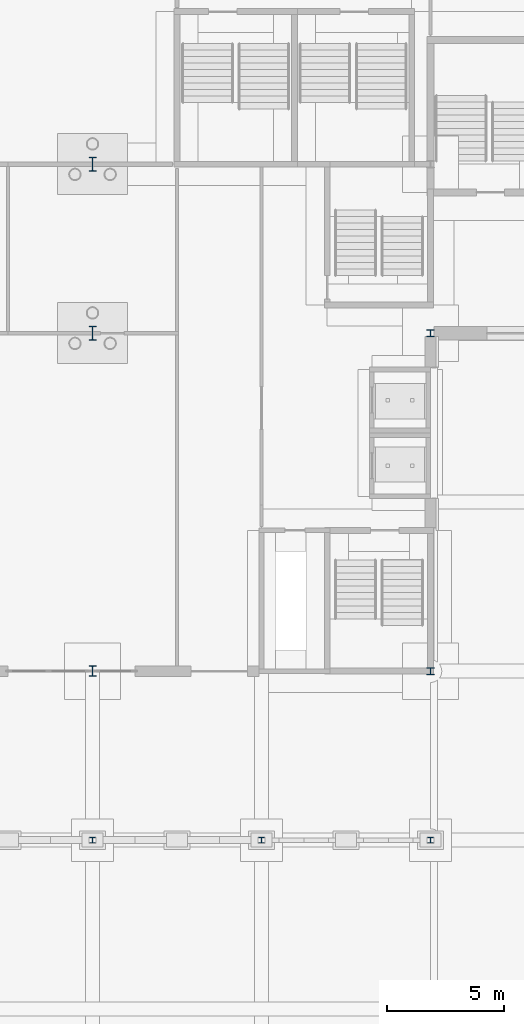
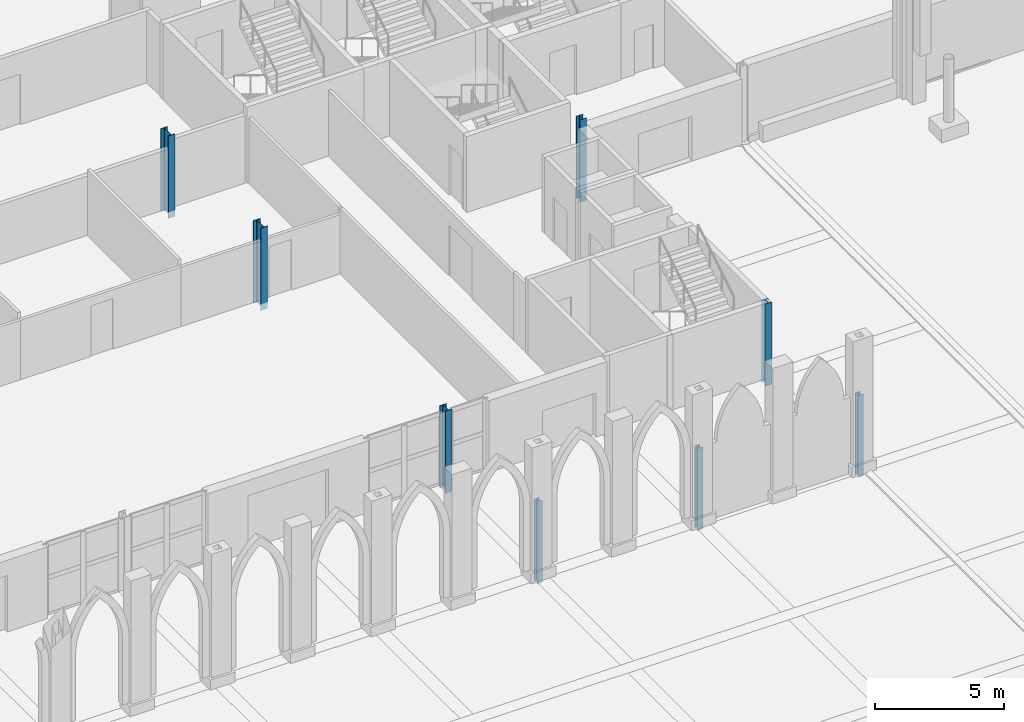
# One storey, part 41 of 148: 8 columns.
"""IFC4 building model written with IfcOpenShell, lengths in metres."""

from ifc_helpers import new_model, si_unit, direction, frame, origin, origin_2d, place, context, subcontext, project, spatial, i_section, extrude, material, material_profile, profile_set, type_object, element, save


model = new_model("IFC4")

# Units and contexts
model_context = context("Model", 3, precision=1e-05, world=origin(), true_north=direction((0.0, 1.0)))
body_context = subcontext(model_context, "Body", "Model", "MODEL_VIEW")
ifc_project = project(units=[si_unit("LENGTHUNIT", "METRE"), si_unit("AREAUNIT", "SQUARE_METRE"), si_unit("VOLUMEUNIT", "CUBIC_METRE"), si_unit("PLANEANGLEUNIT", "RADIAN"), si_unit("MASSUNIT", "GRAM", prefix="KILO")], contexts=[model_context])

# Site, building, storey
site_placement = place(None, origin())
site = spatial("IfcSite", under=ifc_project, at=site_placement, CompositionType="ELEMENT")
building_placement = place(site_placement, origin())
building = spatial("IfcBuilding", under=site, at=building_placement, Name="Kupolbacken Congress Centre", CompositionType="ELEMENT")
storey_placement = place(building_placement, origin())
storey = spatial("IfcBuildingStorey", under=building, at=storey_placement, Name="L00", CompositionType="ELEMENT", Elevation=0.0)

# Columns
ifc_material_1 = material(Name="Steel S355", Category="steel")
ifc_material_profile_1 = material_profile(ifc_material_1, i_section(OverallWidth=0.300048828125, OverallDepth=0.449951171875, WebThickness=0.013916015625, FlangeThickness=0.02587890625, FilletRadius=0.027099609375, at=origin_2d()), Name="HEB 450")
ifc_profile_set_1 = profile_set([ifc_material_profile_1], Name="Steel S355")
column_type_1 = type_object("IfcColumnType", Name="C03 column HEB 450", PredefinedType="COLUMN", material=ifc_profile_set_1)
column_placement = place(storey_placement, frame((64.800048828125, 28.800048828125, -0.300048828125), z_axis=(0.0, 0.0, 1.0), x_axis=(1.0, 0.0, 0.0)))
element("IfcColumn", 1, at=column_placement, inside=storey, type_object=column_type_1, Name="S/col/C-F-10E/L00", PredefinedType="COLUMN", context=body_context, shape_type="SweptSolid", body=[
    extrude(i_section(OverallWidth=0.300048828125, OverallDepth=0.449951171875, WebThickness=0.013916015625, FlangeThickness=0.02587890625, FilletRadius=0.027099609375, at=origin_2d()), origin(), (0.0, 0.0, 1.0), 3.900146484375),
])
ifc_material_2 = material(Name="Steel S355", Category="steel")
ifc_material_profile_2 = material_profile(ifc_material_2, i_section(OverallWidth=0.300048828125, OverallDepth=0.60009765625, WebThickness=0.015380859375, FlangeThickness=0.030029296875, FilletRadius=0.027099609375, at=origin_2d()), Name="HEB 600")
ifc_profile_set_2 = profile_set([ifc_material_profile_2], Name="Steel S355")
column_type_2 = type_object("IfcColumnType", Name="C05 column HEB 600", PredefinedType="COLUMN", material=ifc_profile_set_2)
for number, where, z_axis, x_axis, name in (
    (2, (64.800048828125, 43.199951171875, -0.300048828125), (0.0, 0.0, 1.0), (1.0, 0.0, 0.0), "S/col/C-F-10G/L00"),
    (3, (64.800048828125, 50.39990234375, -0.300048828125), (0.0, 0.0, 1.0), (1.0, 0.0, 0.0), "S/col/C-F-10H/L00"),
):
    element("IfcColumn", number, at=place(storey_placement, frame(where, z_axis=z_axis, x_axis=x_axis)), inside=storey, type_object=column_type_2, Name=name, PredefinedType="COLUMN", context=body_context, shape_type="SweptSolid", body=[
        extrude(i_section(OverallWidth=0.300048828125, OverallDepth=0.60009765625, WebThickness=0.015380859375, FlangeThickness=0.030029296875, FilletRadius=0.027099609375, at=origin_2d()), origin(), (0.0, 0.0, 1.0), 3.900146484375),
    ])
ifc_material_3 = material(Name="Steel S355", Category="steel")
ifc_material_profile_3 = material_profile(ifc_material_3, i_section(OverallWidth=0.300048828125, OverallDepth=0.300048828125, WebThickness=0.010986328125, FlangeThickness=0.01904296875, FilletRadius=0.027099609375, at=origin_2d()), Name="HEB 300")
ifc_profile_set_3 = profile_set([ifc_material_profile_3], Name="Steel S355")
column_type_3 = type_object("IfcColumnType", Name="C06 column HEB 300", PredefinedType="COLUMN", material=ifc_profile_set_3)
for number, where, z_axis, x_axis, name in (
    (4, (79.199951171875, 28.800048828125, -0.300048828125), (0.0, 0.0, 1.0), (1.0, 0.0, 0.0), "S/col/C-F-12E/L00"),
    (5, (79.199951171875, 43.199951171875, -0.300048828125), (0.0, 0.0, 1.0), (1.0, 0.0, 0.0), "S/col/C-F-12G/L00"),
):
    element("IfcColumn", number, at=place(storey_placement, frame(where, z_axis=z_axis, x_axis=x_axis)), inside=storey, type_object=column_type_3, Name=name, PredefinedType="COLUMN", context=body_context, shape_type="SweptSolid", body=[
        extrude(i_section(OverallWidth=0.300048828125, OverallDepth=0.300048828125, WebThickness=0.010986328125, FlangeThickness=0.01904296875, FilletRadius=0.027099609375, at=origin_2d()), origin(), (0.0, 0.0, 1.0), 3.900146484375),
    ])
ifc_material_4 = material(Name="Steel S355", Category="steel")
ifc_material_profile_4 = material_profile(ifc_material_4, i_section(OverallWidth=0.239990234375, OverallDepth=0.22998046875, WebThickness=0.007568359375, FlangeThickness=0.011962890625, FilletRadius=0.02099609375, at=origin_2d()), Name="HEA 240")
ifc_profile_set_4 = profile_set([ifc_material_profile_4], Name="Steel S355")
column_type_4 = type_object("IfcColumnType", Name="C10 column HEA 240", PredefinedType="COLUMN", material=ifc_profile_set_4)
for number, where, z_axis, x_axis, name in (
    (6, (64.800048828125, 21.60009765625, -0.300048828125), (0.0, 0.0, 1.0), (1.0, 0.0, 0.0), "S/col/C-AR-10/L00"),
    (7, (72.0, 21.60009765625, -0.300048828125), (0.0, 0.0, 1.0), (1.0, 0.0, 0.0), "S/col/C-AR-11/L00"),
    (8, (79.199951171875, 21.60009765625, -0.300048828125), (0.0, 0.0, 1.0), (1.0, 0.0, 0.0), "S/col/C-AR-12/L00"),
):
    element("IfcColumn", number, at=place(storey_placement, frame(where, z_axis=z_axis, x_axis=x_axis)), inside=storey, type_object=column_type_4, Name=name, PredefinedType="COLUMN", context=body_context, shape_type="SweptSolid", body=[
        extrude(i_section(OverallWidth=0.239990234375, OverallDepth=0.22998046875, WebThickness=0.007568359375, FlangeThickness=0.011962890625, FilletRadius=0.02099609375, at=origin_2d()), origin(), (0.0, 0.0, 1.0), 3.900146484375),
    ])

save(model, "model.ifc")
